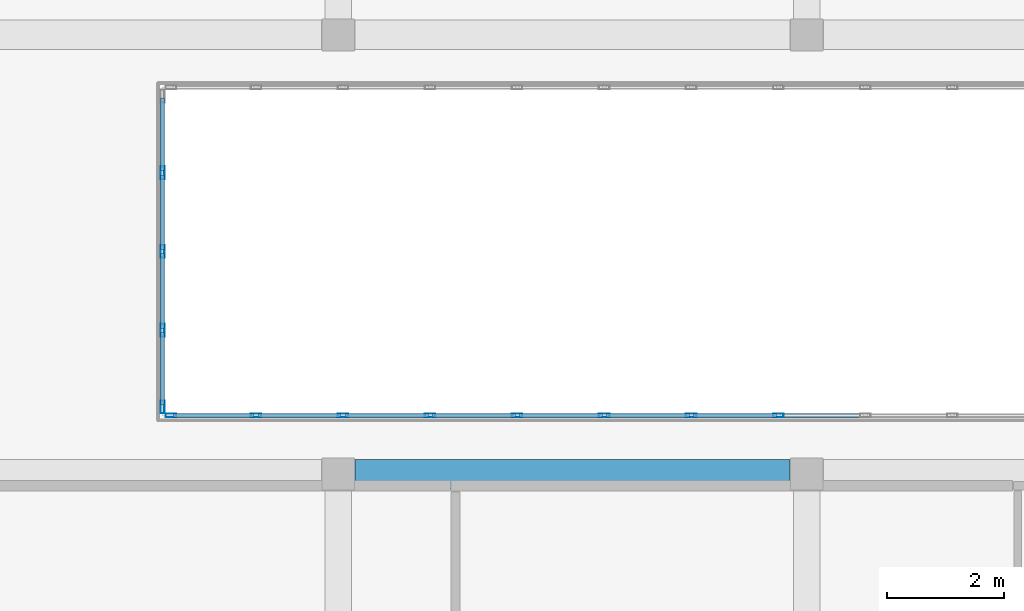
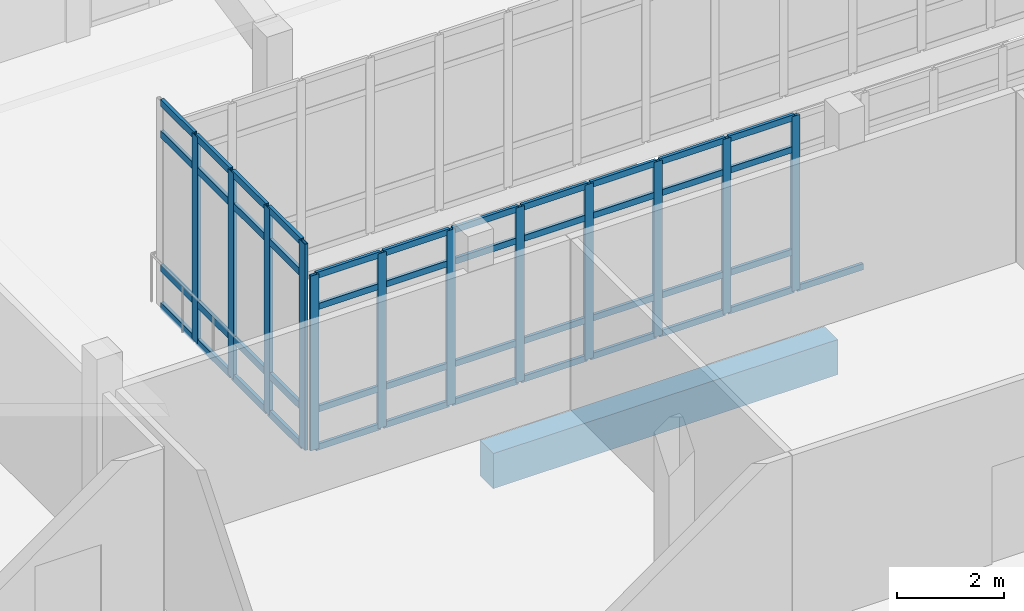
# One storey, part 85 of 173: 57 members, 1 beam, 2 elements without a shape of their own.
"""IFC4 building model written with IfcOpenShell, lengths in metres."""

import ifcopenshell
import ifcopenshell.guid

model = None  # the IFC model being written
_history = None  # IfcOwnerHistory: only IFC2X3 demands one
_inside = {}  # id of a spatial element -> (the spatial element, [elements in it])
_under = {}  # id of a project, library or spatial element -> (it, [spatial elements below it])
_declared = {}  # id of a project -> (the project, [libraries it declares])
_typed = {}  # id of a type object -> (the type object, [elements of that type])
_made_of = {}  # id of a material, layer set ... -> (it, [elements and type objects made of it])


def new_model(schema):
    """Start an empty IFC model of exactly this schema.

    Asked for "IFC4X3", IfcOpenShell would pick the latest addendum, in which some entities
    have other attributes; the version numbers below select the first issue.
    IFC2X3 requires an IfcOwnerHistory on every rooted entity: one is made here for all.
    """
    global model, _history
    if schema == "IFC4X3":
        model = ifcopenshell.file(schema_version=(4, 3, 0, 0))
    else:
        model = ifcopenshell.file(schema=schema)
    _inside.clear()
    _under.clear()
    _declared.clear()
    _typed.clear()
    _made_of.clear()
    _history = None
    if model.schema == "IFC2X3":
        org = make("IfcOrganization", Name="unknown")
        user = make(
            "IfcPersonAndOrganization",
            ThePerson=make("IfcPerson", FamilyName="unknown"),
            TheOrganization=org,
        )
        app = make(
            "IfcApplication",
            ApplicationDeveloper=org,
            Version="unknown",
            ApplicationFullName="unknown",
            ApplicationIdentifier="unknown",
        )
        _history = make(
            "IfcOwnerHistory",
            OwningUser=user,
            OwningApplication=app,
            ChangeAction="ADDED",
            CreationDate=0,
        )
    return model


def make(cls, **values):
    """One entity of the class cls with the attributes given. An attribute that is None is left unset."""
    return model.create_entity(
        cls, **{name: value for name, value in values.items() if value is not None}
    )


def rooted(cls, **values):
    """An entity with a GlobalId (a new one), such as an element, a storey or a relation."""
    return make(cls, GlobalId=ifcopenshell.guid.new(), OwnerHistory=_history, **values)


def si_unit(unit_type, name, prefix=None):
    """IfcSIUnit, for example si_unit("LENGTHUNIT", "METRE", prefix="MILLI")."""
    return make("IfcSIUnit", UnitType=unit_type, Prefix=prefix, Name=name)


def assignment(units):
    """IfcUnitAssignment: the units of a project."""
    return None if units is None else make("IfcUnitAssignment", Units=units)


def point(xyz):
    """IfcCartesianPoint."""
    return None if xyz is None else make("IfcCartesianPoint", Coordinates=xyz)


def direction(xyz):
    """IfcDirection."""
    return None if xyz is None else make("IfcDirection", DirectionRatios=xyz)


def frame(location, z_axis=None, x_axis=None):
    """IfcAxis2Placement3D, a coordinate frame: its origin and axes. An axis left out is left unset."""
    return make(
        "IfcAxis2Placement3D",
        Location=point(location),
        Axis=direction(z_axis),
        RefDirection=direction(x_axis),
    )


def frame_2d(location, x_axis=None):
    """IfcAxis2Placement2D, a coordinate frame in the plane: its origin and x axis."""
    return make(
        "IfcAxis2Placement2D", Location=point(location), RefDirection=direction(x_axis)
    )


def origin():
    """The frame at (0, 0, 0) with its axes left unset."""
    return frame((0.0, 0.0, 0.0))


def origin_2d():
    """The frame at (0, 0) in the plane with its x axis left unset."""
    return frame_2d((0.0, 0.0))


def place(relative_to, where):
    """IfcLocalPlacement: puts the frame where relative to a parent placement (None: the world)."""
    return make(
        "IfcLocalPlacement", PlacementRelTo=relative_to, RelativePlacement=where
    )


def context(
    kind, dimensions, precision=None, world=None, true_north=None, identifier=None
):
    """IfcGeometricRepresentationContext, for example the 3D "Model" context."""
    return make(
        "IfcGeometricRepresentationContext",
        ContextIdentifier=identifier,
        ContextType=kind,
        CoordinateSpaceDimension=dimensions,
        Precision=precision,
        WorldCoordinateSystem=world,
        TrueNorth=true_north,
    )


def subcontext(parent, identifier, kind, view, scale=None):
    """IfcGeometricRepresentationSubContext, for example "Body" below "Model"."""
    return make(
        "IfcGeometricRepresentationSubContext",
        ContextIdentifier=identifier,
        ContextType=kind,
        ParentContext=parent,
        TargetScale=scale,
        TargetView=view,
    )


def project(units=None, contexts=None):
    """IfcProject with its units and contexts."""
    return rooted(
        "IfcProject",
        Name="project",
        RepresentationContexts=contexts,
        UnitsInContext=assignment(units),
    )


def spatial(cls, under=None, at=None, **own):
    """A site, building, storey or space (cls), placed at a placement, below another one or the project."""
    s = rooted(cls, ObjectPlacement=at, **own)
    if under is not None:
        _under.setdefault(under.id(), (under, []))[1].append(s)
    return s


def profile(cls, at=None, kind="AREA", **sizes):
    """A parametric profile (cls). Its sizes go by their IFC names, for example OverallWidth=200.0."""
    return make(cls, ProfileType=kind, Position=at, **sizes)


def rectangle(**sizes):
    """IfcRectangleProfileDef."""
    return profile("IfcRectangleProfileDef", **sizes)


def hollow_rectangle(**sizes):
    """IfcRectangleHollowProfileDef."""
    return profile("IfcRectangleHollowProfileDef", **sizes)


def extrude(swept, where, along, depth):
    """IfcExtrudedAreaSolid: the profile swept, set in the frame where, extruded along a direction by depth."""
    return make(
        "IfcExtrudedAreaSolid",
        SweptArea=swept,
        Position=where,
        ExtrudedDirection=direction(along),
        Depth=depth,
    )


def shape(context_of_items, identifier, shape_type, items):
    """IfcShapeRepresentation: the items that make up one representation, for example the "Body"."""
    return make(
        "IfcShapeRepresentation",
        ContextOfItems=context_of_items,
        RepresentationIdentifier=identifier,
        RepresentationType=shape_type,
        Items=items,
    )


def material(Name=None, Category=None):
    """IfcMaterial."""
    return make("IfcMaterial", Name=Name, Category=Category)


def layer(
    of_material, thickness, ventilated=None, Name=None, Category=None, Priority=None
):
    """IfcMaterialLayer: one layer of a wall or slab, of a material (None: an air gap)."""
    return make(
        "IfcMaterialLayer",
        Material=of_material,
        LayerThickness=thickness,
        IsVentilated=ventilated,
        Name=Name,
        Category=Category,
        Priority=Priority,
    )


def layer_set(layers, Name=None):
    """IfcMaterialLayerSet."""
    return make("IfcMaterialLayerSet", MaterialLayers=layers, LayerSetName=Name)


def material_profile(
    of_material, cross_section, Name=None, Category=None, Priority=None
):
    """IfcMaterialProfile: a cross section and its material."""
    return make(
        "IfcMaterialProfile",
        Name=Name,
        Material=of_material,
        Profile=cross_section,
        Priority=Priority,
        Category=Category,
    )


def profile_set(profiles, Name=None, composite=None):
    """IfcMaterialProfileSet."""
    return make(
        "IfcMaterialProfileSet",
        Name=Name,
        MaterialProfiles=profiles,
        CompositeProfile=composite,
    )


def made_of(thing, what):
    """Note that an element or type object is made of a material, layer set ...; save() writes the relation."""
    if what is not None:
        _made_of.setdefault(what.id(), (what, []))[1].append(thing)
    return thing


def type_object(cls, material=None, **own):
    """A type object (cls), such as IfcWallType, which elements share."""
    return made_of(rooted(cls, **own), material)


def element(
    cls,
    number,
    at=None,
    inside=None,
    cuts=None,
    type_object=None,
    material=None,
    context=None,
    identifier="Body",
    shape_type=None,
    held_by="IfcProductDefinitionShape",
    body=None,
    shapes=None,
    **own,
):
    """One element of the class cls, such as IfcWall. Its Tag is "e" and its number.

    at: its placement. inside: the storey or other place that contains it. cuts: it is an
    opening in that element (IfcRelVoidsElement). A single representation is given by context,
    identifier, shape_type and body (its items); several are given by shapes. held_by: the class
    of the entity that holds the representations. save() writes the other relations.
    """
    e = rooted(cls, Tag="e%d" % number, ObjectPlacement=at, **own)
    if body is not None:
        shapes = [shape(context, identifier, shape_type, body)]
    if shapes is not None:
        e.Representation = make(held_by, Representations=shapes)
    if inside is not None:
        _inside.setdefault(inside.id(), (inside, []))[1].append(e)
    if cuts is not None:
        rooted(
            "IfcRelVoidsElement", RelatingBuildingElement=cuts, RelatedOpeningElement=e
        )
    if type_object is not None:
        _typed.setdefault(type_object.id(), (type_object, []))[1].append(e)
    return made_of(e, material)


def aggregate(whole, parts):
    """IfcRelAggregates: a whole, such as a stair, and the parts it consists of."""
    return rooted("IfcRelAggregates", RelatingObject=whole, RelatedObjects=parts)


def save(model, path):
    """Write the relations noted so far, then the file.

    IfcRelAggregates (storeys below a building ...), IfcRelContainedInSpatialStructure (elements
    in a storey), IfcRelDefinesByType, IfcRelAssociatesMaterial and IfcRelDeclares: one each for
    every whole, place, type object, material and project.
    """
    for whole, parts in _under.values():
        aggregate(whole, parts)
    for where, things in _inside.values():
        rooted(
            "IfcRelContainedInSpatialStructure",
            RelatedElements=things,
            RelatingStructure=where,
        )
    for kind, things in _typed.values():
        rooted("IfcRelDefinesByType", RelatedObjects=things, RelatingType=kind)
    for what, things in _made_of.values():
        rooted("IfcRelAssociatesMaterial", RelatedObjects=things, RelatingMaterial=what)
    for by, libraries in _declared.values():
        rooted("IfcRelDeclares", RelatingContext=by, RelatedDefinitions=libraries)
    model.write(path)


model = new_model("IFC4")

# Units and contexts
model_context = context("Model", 3, precision=1e-05, world=origin(), true_north=direction((0.0, 1.0)))
body_context = subcontext(model_context, "Body", "Model", "MODEL_VIEW")
ifc_project = project(units=[si_unit("LENGTHUNIT", "METRE"), si_unit("AREAUNIT", "SQUARE_METRE"), si_unit("VOLUMEUNIT", "CUBIC_METRE"), si_unit("PLANEANGLEUNIT", "RADIAN"), si_unit("MASSUNIT", "GRAM", prefix="KILO")], contexts=[model_context])

# Site, building, storey
site_placement = place(None, origin())
site = spatial("IfcSite", under=ifc_project, at=site_placement, CompositionType="ELEMENT")
building_placement = place(site_placement, origin())
building = spatial("IfcBuilding", under=site, at=building_placement, Name="Mawjan Specialist Oncology Clinic", CompositionType="ELEMENT")
storey_placement = place(building_placement, origin())
storey = spatial("IfcBuildingStorey", under=building, at=storey_placement, Name="L00", CompositionType="ELEMENT", Elevation=0.0)

# Beam
ifc_material_1 = material(Name="Concrete C45/55", Category="concrete")
ifc_material_profile_1 = material_profile(ifc_material_1, rectangle(XDim=0.5, YDim=0.800048828125, at=origin_2d()), Name="RC BM 500x800", Category="concrete")
ifc_profile_set_1 = profile_set([ifc_material_profile_1], Name="Concrete C45/55")
beam_type = type_object("IfcBeamType", Name="BM-500x800", PredefinedType="BEAM", material=ifc_profile_set_1)
beam_placement = place(storey_placement, frame((116.284912109375, 98.300048828125, -0.85009765625), z_axis=(1.0, 0.0, 0.0), x_axis=(0.0, 1.0, 0.0)))
element("IfcBeam", 1, at=beam_placement, inside=storey, type_object=beam_type, Name="L00 Collector Beam BM-L00-0077", PredefinedType="BEAM", context=body_context, shape_type="SweptSolid", body=[
    extrude(rectangle(XDim=0.5, YDim=0.800048828125, at=origin_2d()), origin(), (0.0, 0.0, 1.0), 7.43017578125),
])

# Curtain wall, members
ifc_material_2 = material(Name="Unitised spectrally selective aluminium curtain wall", Category="aluminium")
ifc_layer_1 = layer(ifc_material_2, 0.179931640625, Name="Unitised spectrally selective aluminium curtain wall", Category="aluminium")
ifc_layer_set_1 = layer_set([ifc_layer_1], Name="Unitised spectrally selective aluminium curtain wall")
curtain_wall_type_1 = type_object("IfcCurtainWallType", Name="CW-33", PredefinedType="NOTDEFINED", material=ifc_layer_set_1)
curtain_wall_1_placement = place(storey_placement, origin())
curtain_wall_1 = element("IfcCurtainWall", 2, at=curtain_wall_1_placement, inside=storey, type_object=curtain_wall_type_1, Name="L00 Unitised Curtain Wall CW-L00-074", PredefinedType="NOTDEFINED")
ifc_material_3 = material(Name="Thermally broken aluminium 6063-T6", Category="aluminium")
ifc_material_profile_2 = material_profile(ifc_material_3, hollow_rectangle(XDim=0.06494140625, YDim=0.179931640625, WallThickness=0.00390625, at=origin_2d()), Name="ALU MULLION 180x65x4", Category="aluminium")
ifc_profile_set_2 = profile_set([ifc_material_profile_2], Name="Thermally broken aluminium 6063-T6")
member_type_1 = type_object("IfcMemberType", Name="CW-M180", PredefinedType="MULLION", material=ifc_profile_set_2)
member_1_placement = place(storey_placement, frame((113.142578125, 99.300048828125, 0.0), z_axis=(0.0, 0.0, 1.0), x_axis=(0.0, 1.0, 0.0)))
member_1 = element("IfcMember", 3, at=member_1_placement, type_object=member_type_1, Name="CW-33 mullion 1", PredefinedType="MULLION", context=body_context, shape_type="SweptSolid", body=[
    extrude(hollow_rectangle(XDim=0.06494140625, YDim=0.179931640625, WallThickness=0.00390625, at=origin_2d()), origin(), (0.0, 0.0, 1.0), 3.985107421875),
])
member_2_placement = place(storey_placement, frame((114.59619140625, 99.300048828125, 0.0), z_axis=(0.0, 0.0, 1.0), x_axis=(0.0, 1.0, 0.0)))
member_2 = element("IfcMember", 4, at=member_2_placement, type_object=member_type_1, Name="CW-33 mullion 2", PredefinedType="MULLION", context=body_context, shape_type="SweptSolid", body=[
    extrude(hollow_rectangle(XDim=0.06494140625, YDim=0.179931640625, WallThickness=0.00390625, at=origin_2d()), origin(), (0.0, 0.0, 1.0), 3.985107421875),
])
member_3_placement = place(storey_placement, frame((116.082275390625, 99.300048828125, 0.0), z_axis=(0.0, 0.0, 1.0), x_axis=(0.0, 1.0, 0.0)))
member_3 = element("IfcMember", 5, at=member_3_placement, type_object=member_type_1, Name="CW-33 mullion 3", PredefinedType="MULLION", context=body_context, shape_type="SweptSolid", body=[
    extrude(hollow_rectangle(XDim=0.06494140625, YDim=0.179931640625, WallThickness=0.00390625, at=origin_2d()), origin(), (0.0, 0.0, 1.0), 3.985107421875),
])
member_4_placement = place(storey_placement, frame((117.568359375, 99.300048828125, 0.0), z_axis=(0.0, 0.0, 1.0), x_axis=(0.0, 1.0, 0.0)))
member_4 = element("IfcMember", 6, at=member_4_placement, type_object=member_type_1, Name="CW-33 mullion 4", PredefinedType="MULLION", context=body_context, shape_type="SweptSolid", body=[
    extrude(hollow_rectangle(XDim=0.06494140625, YDim=0.179931640625, WallThickness=0.00390625, at=origin_2d()), origin(), (0.0, 0.0, 1.0), 3.985107421875),
])
member_5_placement = place(storey_placement, frame((119.054443359375, 99.300048828125, 0.0), z_axis=(0.0, 0.0, 1.0), x_axis=(0.0, 1.0, 0.0)))
member_5 = element("IfcMember", 7, at=member_5_placement, type_object=member_type_1, Name="CW-33 mullion 5", PredefinedType="MULLION", context=body_context, shape_type="SweptSolid", body=[
    extrude(hollow_rectangle(XDim=0.06494140625, YDim=0.179931640625, WallThickness=0.00390625, at=origin_2d()), origin(), (0.0, 0.0, 1.0), 3.985107421875),
])
member_6_placement = place(storey_placement, frame((120.54052734375, 99.300048828125, 0.0), z_axis=(0.0, 0.0, 1.0), x_axis=(0.0, 1.0, 0.0)))
member_6 = element("IfcMember", 8, at=member_6_placement, type_object=member_type_1, Name="CW-33 mullion 6", PredefinedType="MULLION", context=body_context, shape_type="SweptSolid", body=[
    extrude(hollow_rectangle(XDim=0.06494140625, YDim=0.179931640625, WallThickness=0.00390625, at=origin_2d()), origin(), (0.0, 0.0, 1.0), 3.985107421875),
])
member_7_placement = place(storey_placement, frame((122.026611328125, 99.300048828125, 0.0), z_axis=(0.0, 0.0, 1.0), x_axis=(0.0, 1.0, 0.0)))
member_7 = element("IfcMember", 9, at=member_7_placement, type_object=member_type_1, Name="CW-33 mullion 7", PredefinedType="MULLION", context=body_context, shape_type="SweptSolid", body=[
    extrude(hollow_rectangle(XDim=0.06494140625, YDim=0.179931640625, WallThickness=0.00390625, at=origin_2d()), origin(), (0.0, 0.0, 1.0), 3.985107421875),
])
member_8_placement = place(storey_placement, frame((123.5126953125, 99.300048828125, 0.0), z_axis=(0.0, 0.0, 1.0), x_axis=(0.0, 1.0, 0.0)))
member_8 = element("IfcMember", 10, at=member_8_placement, type_object=member_type_1, Name="CW-33 mullion 8", PredefinedType="MULLION", context=body_context, shape_type="SweptSolid", body=[
    extrude(hollow_rectangle(XDim=0.06494140625, YDim=0.179931640625, WallThickness=0.00390625, at=origin_2d()), origin(), (0.0, 0.0, 1.0), 3.985107421875),
])

ifc_material_4 = material(Name="Unitised spectrally selective aluminium curtain wall", Category="aluminium")
ifc_layer_2 = layer(ifc_material_4, 0.179931640625, Name="Unitised spectrally selective aluminium curtain wall", Category="aluminium")
ifc_layer_set_2 = layer_set([ifc_layer_2], Name="Unitised spectrally selective aluminium curtain wall")
curtain_wall_type_2 = type_object("IfcCurtainWallType", Name="CW-32", PredefinedType="NOTDEFINED", material=ifc_layer_set_2)
curtain_wall_2_placement = place(storey_placement, origin())
curtain_wall_2 = element("IfcCurtainWall", 11, at=curtain_wall_2_placement, inside=storey, type_object=curtain_wall_type_2, Name="L00 Unitised Curtain Wall CW-L00-073", PredefinedType="NOTDEFINED")
ifc_material_5 = material(Name="Thermally broken aluminium 6063-T6", Category="aluminium")
ifc_material_profile_3 = material_profile(ifc_material_5, hollow_rectangle(XDim=0.070068359375, YDim=0.219970703125, WallThickness=0.00390625, at=origin_2d()), Name="ALU MULLION 220x70x4", Category="aluminium")
ifc_profile_set_3 = profile_set([ifc_material_profile_3], Name="Thermally broken aluminium 6063-T6")
member_type_2 = type_object("IfcMemberType", Name="CW-M220", PredefinedType="MULLION", material=ifc_profile_set_3)
member_9_placement = place(storey_placement, frame((113.0, 103.445068359375, 0.0), z_axis=(0.0, 0.0, 1.0), x_axis=(1.0, 0.0, 0.0)))
member_9 = element("IfcMember", 12, at=member_9_placement, type_object=member_type_2, Name="CW-32 mullion 2", PredefinedType="MULLION", context=body_context, shape_type="SweptSolid", body=[
    extrude(hollow_rectangle(XDim=0.070068359375, YDim=0.219970703125, WallThickness=0.00390625, at=origin_2d()), origin(), (0.0, 0.0, 1.0), 4.699951171875),
])
member_10_placement = place(storey_placement, frame((113.0, 102.10009765625, 0.0), z_axis=(0.0, 0.0, 1.0), x_axis=(1.0, 0.0, 0.0)))
member_10 = element("IfcMember", 13, at=member_10_placement, type_object=member_type_2, Name="CW-32 mullion 3", PredefinedType="MULLION", context=body_context, shape_type="SweptSolid", body=[
    extrude(hollow_rectangle(XDim=0.070068359375, YDim=0.219970703125, WallThickness=0.00390625, at=origin_2d()), origin(), (0.0, 0.0, 1.0), 4.699951171875),
])
member_11_placement = place(storey_placement, frame((113.0, 100.7548828125, 0.0), z_axis=(0.0, 0.0, 1.0), x_axis=(1.0, 0.0, 0.0)))
member_11 = element("IfcMember", 14, at=member_11_placement, type_object=member_type_2, Name="CW-32 mullion 4", PredefinedType="MULLION", context=body_context, shape_type="SweptSolid", body=[
    extrude(hollow_rectangle(XDim=0.070068359375, YDim=0.219970703125, WallThickness=0.00390625, at=origin_2d()), origin(), (0.0, 0.0, 1.0), 4.699951171875),
])
member_12_placement = place(storey_placement, frame((113.0, 99.445068359375, 0.0), z_axis=(0.0, 0.0, 1.0), x_axis=(1.0, 0.0, 0.0)))
member_12 = element("IfcMember", 15, at=member_12_placement, type_object=member_type_2, Name="CW-32 mullion 5", PredefinedType="MULLION", context=body_context, shape_type="SweptSolid", body=[
    extrude(hollow_rectangle(XDim=0.070068359375, YDim=0.219970703125, WallThickness=0.00390625, at=origin_2d()), origin(), (0.0, 0.0, 1.0), 4.699951171875),
])

# Member
ifc_material_6 = material(Name="Thermally broken aluminium 6063-T6", Category="aluminium")
ifc_material_profile_4 = material_profile(ifc_material_6, hollow_rectangle(XDim=0.06494140625, YDim=0.139892578125, WallThickness=0.00390625, at=origin_2d()), Name="ALU TRANSOM 140x65x4", Category="aluminium")
ifc_profile_set_4 = profile_set([ifc_material_profile_4], Name="Thermally broken aluminium 6063-T6")
member_type_3 = type_object("IfcMemberType", Name="CW-T140", PredefinedType="USERDEFINED", material=ifc_profile_set_4)
member_13_placement = place(storey_placement, frame((113.175048828125, 99.300048828125, 0.032470703125), z_axis=(1.0, 0.0, 0.0), x_axis=(0.0, 1.0, 0.0)))
member_13 = element("IfcMember", 16, at=member_13_placement, type_object=member_type_3, Name="CW-33 transom 1.1", ObjectType="TRANSOM", PredefinedType="USERDEFINED", context=body_context, shape_type="SweptSolid", body=[
    extrude(hollow_rectangle(XDim=0.06494140625, YDim=0.139892578125, WallThickness=0.00390625, at=origin_2d()), origin(), (0.0, 0.0, 1.0), 1.388427734375),
])

member_14_placement = place(storey_placement, frame((113.175048828125, 99.300048828125, 0.89990234375), z_axis=(1.0, 0.0, 0.0), x_axis=(0.0, 1.0, 0.0)))
member_14 = element("IfcMember", 17, at=member_14_placement, type_object=member_type_3, Name="CW-33 transom 1.2", ObjectType="TRANSOM", PredefinedType="USERDEFINED", context=body_context, shape_type="SweptSolid", body=[
    extrude(hollow_rectangle(XDim=0.06494140625, YDim=0.139892578125, WallThickness=0.00390625, at=origin_2d()), origin(), (0.0, 0.0, 1.0), 1.388427734375),
])

member_15_placement = place(storey_placement, frame((113.175048828125, 99.300048828125, 3.235107421875), z_axis=(1.0, 0.0, 0.0), x_axis=(0.0, 1.0, 0.0)))
member_15 = element("IfcMember", 18, at=member_15_placement, type_object=member_type_3, Name="CW-33 transom 1.3", ObjectType="TRANSOM", PredefinedType="USERDEFINED", context=body_context, shape_type="SweptSolid", body=[
    extrude(hollow_rectangle(XDim=0.06494140625, YDim=0.139892578125, WallThickness=0.00390625, at=origin_2d()), origin(), (0.0, 0.0, 1.0), 1.388427734375),
])

member_16_placement = place(storey_placement, frame((113.175048828125, 99.300048828125, 3.952392578125), z_axis=(1.0, 0.0, 0.0), x_axis=(0.0, 1.0, 0.0)))
member_16 = element("IfcMember", 19, at=member_16_placement, type_object=member_type_3, Name="CW-33 transom 1.4", ObjectType="TRANSOM", PredefinedType="USERDEFINED", context=body_context, shape_type="SweptSolid", body=[
    extrude(hollow_rectangle(XDim=0.06494140625, YDim=0.139892578125, WallThickness=0.00390625, at=origin_2d()), origin(), (0.0, 0.0, 1.0), 1.388427734375),
])

member_17_placement = place(storey_placement, frame((114.628662109375, 99.300048828125, 0.032470703125), z_axis=(1.0, 0.0, 0.0), x_axis=(0.0, 1.0, 0.0)))
member_17 = element("IfcMember", 20, at=member_17_placement, type_object=member_type_3, Name="CW-33 transom 2.1", ObjectType="TRANSOM", PredefinedType="USERDEFINED", context=body_context, shape_type="SweptSolid", body=[
    extrude(hollow_rectangle(XDim=0.06494140625, YDim=0.139892578125, WallThickness=0.00390625, at=origin_2d()), origin(), (0.0, 0.0, 1.0), 1.4208984375),
])

member_18_placement = place(storey_placement, frame((114.628662109375, 99.300048828125, 0.89990234375), z_axis=(1.0, 0.0, 0.0), x_axis=(0.0, 1.0, 0.0)))
member_18 = element("IfcMember", 21, at=member_18_placement, type_object=member_type_3, Name="CW-33 transom 2.2", ObjectType="TRANSOM", PredefinedType="USERDEFINED", context=body_context, shape_type="SweptSolid", body=[
    extrude(hollow_rectangle(XDim=0.06494140625, YDim=0.139892578125, WallThickness=0.00390625, at=origin_2d()), origin(), (0.0, 0.0, 1.0), 1.4208984375),
])

member_19_placement = place(storey_placement, frame((114.628662109375, 99.300048828125, 3.235107421875), z_axis=(1.0, 0.0, 0.0), x_axis=(0.0, 1.0, 0.0)))
member_19 = element("IfcMember", 22, at=member_19_placement, type_object=member_type_3, Name="CW-33 transom 2.3", ObjectType="TRANSOM", PredefinedType="USERDEFINED", context=body_context, shape_type="SweptSolid", body=[
    extrude(hollow_rectangle(XDim=0.06494140625, YDim=0.139892578125, WallThickness=0.00390625, at=origin_2d()), origin(), (0.0, 0.0, 1.0), 1.4208984375),
])

member_20_placement = place(storey_placement, frame((114.628662109375, 99.300048828125, 3.952392578125), z_axis=(1.0, 0.0, 0.0), x_axis=(0.0, 1.0, 0.0)))
member_20 = element("IfcMember", 23, at=member_20_placement, type_object=member_type_3, Name="CW-33 transom 2.4", ObjectType="TRANSOM", PredefinedType="USERDEFINED", context=body_context, shape_type="SweptSolid", body=[
    extrude(hollow_rectangle(XDim=0.06494140625, YDim=0.139892578125, WallThickness=0.00390625, at=origin_2d()), origin(), (0.0, 0.0, 1.0), 1.4208984375),
])

member_21_placement = place(storey_placement, frame((116.11474609375, 99.300048828125, 0.032470703125), z_axis=(1.0, 0.0, 0.0), x_axis=(0.0, 1.0, 0.0)))
member_21 = element("IfcMember", 24, at=member_21_placement, type_object=member_type_3, Name="CW-33 transom 3.1", ObjectType="TRANSOM", PredefinedType="USERDEFINED", context=body_context, shape_type="SweptSolid", body=[
    extrude(hollow_rectangle(XDim=0.06494140625, YDim=0.139892578125, WallThickness=0.00390625, at=origin_2d()), origin(), (0.0, 0.0, 1.0), 1.4208984375),
])

member_22_placement = place(storey_placement, frame((116.11474609375, 99.300048828125, 0.89990234375), z_axis=(1.0, 0.0, 0.0), x_axis=(0.0, 1.0, 0.0)))
member_22 = element("IfcMember", 25, at=member_22_placement, type_object=member_type_3, Name="CW-33 transom 3.2", ObjectType="TRANSOM", PredefinedType="USERDEFINED", context=body_context, shape_type="SweptSolid", body=[
    extrude(hollow_rectangle(XDim=0.06494140625, YDim=0.139892578125, WallThickness=0.00390625, at=origin_2d()), origin(), (0.0, 0.0, 1.0), 1.4208984375),
])

member_23_placement = place(storey_placement, frame((116.11474609375, 99.300048828125, 3.235107421875), z_axis=(1.0, 0.0, 0.0), x_axis=(0.0, 1.0, 0.0)))
member_23 = element("IfcMember", 26, at=member_23_placement, type_object=member_type_3, Name="CW-33 transom 3.3", ObjectType="TRANSOM", PredefinedType="USERDEFINED", context=body_context, shape_type="SweptSolid", body=[
    extrude(hollow_rectangle(XDim=0.06494140625, YDim=0.139892578125, WallThickness=0.00390625, at=origin_2d()), origin(), (0.0, 0.0, 1.0), 1.4208984375),
])

member_24_placement = place(storey_placement, frame((116.11474609375, 99.300048828125, 3.952392578125), z_axis=(1.0, 0.0, 0.0), x_axis=(0.0, 1.0, 0.0)))
member_24 = element("IfcMember", 27, at=member_24_placement, type_object=member_type_3, Name="CW-33 transom 3.4", ObjectType="TRANSOM", PredefinedType="USERDEFINED", context=body_context, shape_type="SweptSolid", body=[
    extrude(hollow_rectangle(XDim=0.06494140625, YDim=0.139892578125, WallThickness=0.00390625, at=origin_2d()), origin(), (0.0, 0.0, 1.0), 1.4208984375),
])

member_25_placement = place(storey_placement, frame((117.600830078125, 99.300048828125, 0.032470703125), z_axis=(1.0, 0.0, 0.0), x_axis=(0.0, 1.0, 0.0)))
member_25 = element("IfcMember", 28, at=member_25_placement, type_object=member_type_3, Name="CW-33 transom 4.1", ObjectType="TRANSOM", PredefinedType="USERDEFINED", context=body_context, shape_type="SweptSolid", body=[
    extrude(hollow_rectangle(XDim=0.06494140625, YDim=0.139892578125, WallThickness=0.00390625, at=origin_2d()), origin(), (0.0, 0.0, 1.0), 1.4208984375),
])

member_26_placement = place(storey_placement, frame((117.600830078125, 99.300048828125, 0.89990234375), z_axis=(1.0, 0.0, 0.0), x_axis=(0.0, 1.0, 0.0)))
member_26 = element("IfcMember", 29, at=member_26_placement, type_object=member_type_3, Name="CW-33 transom 4.2", ObjectType="TRANSOM", PredefinedType="USERDEFINED", context=body_context, shape_type="SweptSolid", body=[
    extrude(hollow_rectangle(XDim=0.06494140625, YDim=0.139892578125, WallThickness=0.00390625, at=origin_2d()), origin(), (0.0, 0.0, 1.0), 1.4208984375),
])

member_27_placement = place(storey_placement, frame((117.600830078125, 99.300048828125, 3.235107421875), z_axis=(1.0, 0.0, 0.0), x_axis=(0.0, 1.0, 0.0)))
member_27 = element("IfcMember", 30, at=member_27_placement, type_object=member_type_3, Name="CW-33 transom 4.3", ObjectType="TRANSOM", PredefinedType="USERDEFINED", context=body_context, shape_type="SweptSolid", body=[
    extrude(hollow_rectangle(XDim=0.06494140625, YDim=0.139892578125, WallThickness=0.00390625, at=origin_2d()), origin(), (0.0, 0.0, 1.0), 1.4208984375),
])

member_28_placement = place(storey_placement, frame((117.600830078125, 99.300048828125, 3.952392578125), z_axis=(1.0, 0.0, 0.0), x_axis=(0.0, 1.0, 0.0)))
member_28 = element("IfcMember", 31, at=member_28_placement, type_object=member_type_3, Name="CW-33 transom 4.4", ObjectType="TRANSOM", PredefinedType="USERDEFINED", context=body_context, shape_type="SweptSolid", body=[
    extrude(hollow_rectangle(XDim=0.06494140625, YDim=0.139892578125, WallThickness=0.00390625, at=origin_2d()), origin(), (0.0, 0.0, 1.0), 1.4208984375),
])

member_29_placement = place(storey_placement, frame((119.0869140625, 99.300048828125, 0.032470703125), z_axis=(1.0, 0.0, 0.0), x_axis=(0.0, 1.0, 0.0)))
member_29 = element("IfcMember", 32, at=member_29_placement, type_object=member_type_3, Name="CW-33 transom 5.1", ObjectType="TRANSOM", PredefinedType="USERDEFINED", context=body_context, shape_type="SweptSolid", body=[
    extrude(hollow_rectangle(XDim=0.06494140625, YDim=0.139892578125, WallThickness=0.00390625, at=origin_2d()), origin(), (0.0, 0.0, 1.0), 1.421142578125),
])

member_30_placement = place(storey_placement, frame((119.0869140625, 99.300048828125, 0.89990234375), z_axis=(1.0, 0.0, 0.0), x_axis=(0.0, 1.0, 0.0)))
member_30 = element("IfcMember", 33, at=member_30_placement, type_object=member_type_3, Name="CW-33 transom 5.2", ObjectType="TRANSOM", PredefinedType="USERDEFINED", context=body_context, shape_type="SweptSolid", body=[
    extrude(hollow_rectangle(XDim=0.06494140625, YDim=0.139892578125, WallThickness=0.00390625, at=origin_2d()), origin(), (0.0, 0.0, 1.0), 1.421142578125),
])

member_31_placement = place(storey_placement, frame((119.0869140625, 99.300048828125, 3.235107421875), z_axis=(1.0, 0.0, 0.0), x_axis=(0.0, 1.0, 0.0)))
member_31 = element("IfcMember", 34, at=member_31_placement, type_object=member_type_3, Name="CW-33 transom 5.3", ObjectType="TRANSOM", PredefinedType="USERDEFINED", context=body_context, shape_type="SweptSolid", body=[
    extrude(hollow_rectangle(XDim=0.06494140625, YDim=0.139892578125, WallThickness=0.00390625, at=origin_2d()), origin(), (0.0, 0.0, 1.0), 1.421142578125),
])

member_32_placement = place(storey_placement, frame((119.0869140625, 99.300048828125, 3.952392578125), z_axis=(1.0, 0.0, 0.0), x_axis=(0.0, 1.0, 0.0)))
member_32 = element("IfcMember", 35, at=member_32_placement, type_object=member_type_3, Name="CW-33 transom 5.4", ObjectType="TRANSOM", PredefinedType="USERDEFINED", context=body_context, shape_type="SweptSolid", body=[
    extrude(hollow_rectangle(XDim=0.06494140625, YDim=0.139892578125, WallThickness=0.00390625, at=origin_2d()), origin(), (0.0, 0.0, 1.0), 1.421142578125),
])

member_33_placement = place(storey_placement, frame((120.572998046875, 99.300048828125, 0.032470703125), z_axis=(1.0, 0.0, 0.0), x_axis=(0.0, 1.0, 0.0)))
member_33 = element("IfcMember", 36, at=member_33_placement, type_object=member_type_3, Name="CW-33 transom 6.1", ObjectType="TRANSOM", PredefinedType="USERDEFINED", context=body_context, shape_type="SweptSolid", body=[
    extrude(hollow_rectangle(XDim=0.06494140625, YDim=0.139892578125, WallThickness=0.00390625, at=origin_2d()), origin(), (0.0, 0.0, 1.0), 1.421142578125),
])

member_34_placement = place(storey_placement, frame((120.572998046875, 99.300048828125, 0.89990234375), z_axis=(1.0, 0.0, 0.0), x_axis=(0.0, 1.0, 0.0)))
member_34 = element("IfcMember", 37, at=member_34_placement, type_object=member_type_3, Name="CW-33 transom 6.2", ObjectType="TRANSOM", PredefinedType="USERDEFINED", context=body_context, shape_type="SweptSolid", body=[
    extrude(hollow_rectangle(XDim=0.06494140625, YDim=0.139892578125, WallThickness=0.00390625, at=origin_2d()), origin(), (0.0, 0.0, 1.0), 1.421142578125),
])

member_35_placement = place(storey_placement, frame((120.572998046875, 99.300048828125, 3.235107421875), z_axis=(1.0, 0.0, 0.0), x_axis=(0.0, 1.0, 0.0)))
member_35 = element("IfcMember", 38, at=member_35_placement, type_object=member_type_3, Name="CW-33 transom 6.3", ObjectType="TRANSOM", PredefinedType="USERDEFINED", context=body_context, shape_type="SweptSolid", body=[
    extrude(hollow_rectangle(XDim=0.06494140625, YDim=0.139892578125, WallThickness=0.00390625, at=origin_2d()), origin(), (0.0, 0.0, 1.0), 1.421142578125),
])

member_36_placement = place(storey_placement, frame((120.572998046875, 99.300048828125, 3.952392578125), z_axis=(1.0, 0.0, 0.0), x_axis=(0.0, 1.0, 0.0)))
member_36 = element("IfcMember", 39, at=member_36_placement, type_object=member_type_3, Name="CW-33 transom 6.4", ObjectType="TRANSOM", PredefinedType="USERDEFINED", context=body_context, shape_type="SweptSolid", body=[
    extrude(hollow_rectangle(XDim=0.06494140625, YDim=0.139892578125, WallThickness=0.00390625, at=origin_2d()), origin(), (0.0, 0.0, 1.0), 1.421142578125),
])

member_37_placement = place(storey_placement, frame((122.05908203125, 99.300048828125, 0.032470703125), z_axis=(1.0, 0.0, 0.0), x_axis=(0.0, 1.0, 0.0)))
member_37 = element("IfcMember", 40, at=member_37_placement, type_object=member_type_3, Name="CW-33 transom 7.1", ObjectType="TRANSOM", PredefinedType="USERDEFINED", context=body_context, shape_type="SweptSolid", body=[
    extrude(hollow_rectangle(XDim=0.06494140625, YDim=0.139892578125, WallThickness=0.00390625, at=origin_2d()), origin(), (0.0, 0.0, 1.0), 1.421142578125),
])

member_38_placement = place(storey_placement, frame((122.05908203125, 99.300048828125, 0.89990234375), z_axis=(1.0, 0.0, 0.0), x_axis=(0.0, 1.0, 0.0)))
member_38 = element("IfcMember", 41, at=member_38_placement, type_object=member_type_3, Name="CW-33 transom 7.2", ObjectType="TRANSOM", PredefinedType="USERDEFINED", context=body_context, shape_type="SweptSolid", body=[
    extrude(hollow_rectangle(XDim=0.06494140625, YDim=0.139892578125, WallThickness=0.00390625, at=origin_2d()), origin(), (0.0, 0.0, 1.0), 1.421142578125),
])

member_39_placement = place(storey_placement, frame((122.05908203125, 99.300048828125, 3.235107421875), z_axis=(1.0, 0.0, 0.0), x_axis=(0.0, 1.0, 0.0)))
member_39 = element("IfcMember", 42, at=member_39_placement, type_object=member_type_3, Name="CW-33 transom 7.3", ObjectType="TRANSOM", PredefinedType="USERDEFINED", context=body_context, shape_type="SweptSolid", body=[
    extrude(hollow_rectangle(XDim=0.06494140625, YDim=0.139892578125, WallThickness=0.00390625, at=origin_2d()), origin(), (0.0, 0.0, 1.0), 1.421142578125),
])

member_40_placement = place(storey_placement, frame((122.05908203125, 99.300048828125, 3.952392578125), z_axis=(1.0, 0.0, 0.0), x_axis=(0.0, 1.0, 0.0)))
member_40 = element("IfcMember", 43, at=member_40_placement, type_object=member_type_3, Name="CW-33 transom 7.4", ObjectType="TRANSOM", PredefinedType="USERDEFINED", context=body_context, shape_type="SweptSolid", body=[
    extrude(hollow_rectangle(XDim=0.06494140625, YDim=0.139892578125, WallThickness=0.00390625, at=origin_2d()), origin(), (0.0, 0.0, 1.0), 1.421142578125),
])

member_41_placement = place(storey_placement, frame((123.545166015625, 99.300048828125, 0.032470703125), z_axis=(1.0, 0.0, 0.0), x_axis=(0.0, 1.0, 0.0)))
member_41 = element("IfcMember", 44, at=member_41_placement, type_object=member_type_3, Name="CW-33 transom 8.1", ObjectType="TRANSOM", PredefinedType="USERDEFINED", context=body_context, shape_type="SweptSolid", body=[
    extrude(hollow_rectangle(XDim=0.06494140625, YDim=0.139892578125, WallThickness=0.00390625, at=origin_2d()), origin(), (0.0, 0.0, 1.0), 1.421142578125),
])

aggregate(curtain_wall_1, [member_1, member_2, member_3, member_4, member_5, member_6, member_7, member_8, member_13, member_14, member_15, member_16, member_17, member_18, member_19, member_20, member_21, member_22, member_23, member_24, member_25, member_26, member_27, member_28, member_29, member_30, member_31, member_32, member_33, member_34, member_35, member_36, member_37, member_38, member_39, member_40, member_41])

ifc_material_7 = material(Name="Thermally broken aluminium 6063-T6", Category="aluminium")
ifc_material_profile_5 = material_profile(ifc_material_7, hollow_rectangle(XDim=0.070068359375, YDim=0.159912109375, WallThickness=0.00390625, at=origin_2d()), Name="ALU TRANSOM 160x70x4", Category="aluminium")
ifc_profile_set_5 = profile_set([ifc_material_profile_5], Name="Thermally broken aluminium 6063-T6")
member_type_4 = type_object("IfcMemberType", Name="CW-T160", PredefinedType="USERDEFINED", material=ifc_profile_set_5)
member_42_placement = place(storey_placement, frame((113.0, 104.719970703125, 0.034912109375), z_axis=(0.0, -1.0, 0.0), x_axis=(1.0, 0.0, 0.0)))
member_42 = element("IfcMember", 45, at=member_42_placement, type_object=member_type_4, Name="CW-32 transom 1.1", ObjectType="TRANSOM", PredefinedType="USERDEFINED", context=body_context, shape_type="SweptSolid", body=[
    extrude(hollow_rectangle(XDim=0.070068359375, YDim=0.159912109375, WallThickness=0.00390625, at=origin_2d()), origin(), (0.0, 0.0, 1.0), 1.239990234375),
])

member_43_placement = place(storey_placement, frame((113.0, 104.719970703125, 0.89990234375), z_axis=(0.0, -1.0, 0.0), x_axis=(1.0, 0.0, 0.0)))
member_43 = element("IfcMember", 46, at=member_43_placement, type_object=member_type_4, Name="CW-32 transom 1.2", ObjectType="TRANSOM", PredefinedType="USERDEFINED", context=body_context, shape_type="SweptSolid", body=[
    extrude(hollow_rectangle(XDim=0.070068359375, YDim=0.159912109375, WallThickness=0.00390625, at=origin_2d()), origin(), (0.0, 0.0, 1.0), 1.239990234375),
])

member_44_placement = place(storey_placement, frame((113.0, 104.719970703125, 3.949951171875), z_axis=(0.0, -1.0, 0.0), x_axis=(1.0, 0.0, 0.0)))
member_44 = element("IfcMember", 47, at=member_44_placement, type_object=member_type_4, Name="CW-32 transom 1.3", ObjectType="TRANSOM", PredefinedType="USERDEFINED", context=body_context, shape_type="SweptSolid", body=[
    extrude(hollow_rectangle(XDim=0.070068359375, YDim=0.159912109375, WallThickness=0.00390625, at=origin_2d()), origin(), (0.0, 0.0, 1.0), 1.239990234375),
])

member_45_placement = place(storey_placement, frame((113.0, 104.719970703125, 4.6650390625), z_axis=(0.0, -1.0, 0.0), x_axis=(1.0, 0.0, 0.0)))
member_45 = element("IfcMember", 48, at=member_45_placement, type_object=member_type_4, Name="CW-32 transom 1.4", ObjectType="TRANSOM", PredefinedType="USERDEFINED", context=body_context, shape_type="SweptSolid", body=[
    extrude(hollow_rectangle(XDim=0.070068359375, YDim=0.159912109375, WallThickness=0.00390625, at=origin_2d()), origin(), (0.0, 0.0, 1.0), 1.239990234375),
])

member_46_placement = place(storey_placement, frame((113.0, 103.409912109375, 0.034912109375), z_axis=(0.0, -1.0, 0.0), x_axis=(1.0, 0.0, 0.0)))
member_46 = element("IfcMember", 49, at=member_46_placement, type_object=member_type_4, Name="CW-32 transom 2.1", ObjectType="TRANSOM", PredefinedType="USERDEFINED", context=body_context, shape_type="SweptSolid", body=[
    extrude(hollow_rectangle(XDim=0.070068359375, YDim=0.159912109375, WallThickness=0.00390625, at=origin_2d()), origin(), (0.0, 0.0, 1.0), 1.27490234375),
])

member_47_placement = place(storey_placement, frame((113.0, 103.409912109375, 0.89990234375), z_axis=(0.0, -1.0, 0.0), x_axis=(1.0, 0.0, 0.0)))
member_47 = element("IfcMember", 50, at=member_47_placement, type_object=member_type_4, Name="CW-32 transom 2.2", ObjectType="TRANSOM", PredefinedType="USERDEFINED", context=body_context, shape_type="SweptSolid", body=[
    extrude(hollow_rectangle(XDim=0.070068359375, YDim=0.159912109375, WallThickness=0.00390625, at=origin_2d()), origin(), (0.0, 0.0, 1.0), 1.27490234375),
])

member_48_placement = place(storey_placement, frame((113.0, 103.409912109375, 3.949951171875), z_axis=(0.0, -1.0, 0.0), x_axis=(1.0, 0.0, 0.0)))
member_48 = element("IfcMember", 51, at=member_48_placement, type_object=member_type_4, Name="CW-32 transom 2.3", ObjectType="TRANSOM", PredefinedType="USERDEFINED", context=body_context, shape_type="SweptSolid", body=[
    extrude(hollow_rectangle(XDim=0.070068359375, YDim=0.159912109375, WallThickness=0.00390625, at=origin_2d()), origin(), (0.0, 0.0, 1.0), 1.27490234375),
])

member_49_placement = place(storey_placement, frame((113.0, 103.409912109375, 4.6650390625), z_axis=(0.0, -1.0, 0.0), x_axis=(1.0, 0.0, 0.0)))
member_49 = element("IfcMember", 52, at=member_49_placement, type_object=member_type_4, Name="CW-32 transom 2.4", ObjectType="TRANSOM", PredefinedType="USERDEFINED", context=body_context, shape_type="SweptSolid", body=[
    extrude(hollow_rectangle(XDim=0.070068359375, YDim=0.159912109375, WallThickness=0.00390625, at=origin_2d()), origin(), (0.0, 0.0, 1.0), 1.27490234375),
])

member_50_placement = place(storey_placement, frame((113.0, 102.06494140625, 0.034912109375), z_axis=(0.0, -1.0, 0.0), x_axis=(1.0, 0.0, 0.0)))
member_50 = element("IfcMember", 53, at=member_50_placement, type_object=member_type_4, Name="CW-32 transom 3.1", ObjectType="TRANSOM", PredefinedType="USERDEFINED", context=body_context, shape_type="SweptSolid", body=[
    extrude(hollow_rectangle(XDim=0.070068359375, YDim=0.159912109375, WallThickness=0.00390625, at=origin_2d()), origin(), (0.0, 0.0, 1.0), 1.27490234375),
])

member_51_placement = place(storey_placement, frame((113.0, 102.06494140625, 0.89990234375), z_axis=(0.0, -1.0, 0.0), x_axis=(1.0, 0.0, 0.0)))
member_51 = element("IfcMember", 54, at=member_51_placement, type_object=member_type_4, Name="CW-32 transom 3.2", ObjectType="TRANSOM", PredefinedType="USERDEFINED", context=body_context, shape_type="SweptSolid", body=[
    extrude(hollow_rectangle(XDim=0.070068359375, YDim=0.159912109375, WallThickness=0.00390625, at=origin_2d()), origin(), (0.0, 0.0, 1.0), 1.27490234375),
])

member_52_placement = place(storey_placement, frame((113.0, 102.06494140625, 3.949951171875), z_axis=(0.0, -1.0, 0.0), x_axis=(1.0, 0.0, 0.0)))
member_52 = element("IfcMember", 55, at=member_52_placement, type_object=member_type_4, Name="CW-32 transom 3.3", ObjectType="TRANSOM", PredefinedType="USERDEFINED", context=body_context, shape_type="SweptSolid", body=[
    extrude(hollow_rectangle(XDim=0.070068359375, YDim=0.159912109375, WallThickness=0.00390625, at=origin_2d()), origin(), (0.0, 0.0, 1.0), 1.27490234375),
])

member_53_placement = place(storey_placement, frame((113.0, 102.06494140625, 4.6650390625), z_axis=(0.0, -1.0, 0.0), x_axis=(1.0, 0.0, 0.0)))
member_53 = element("IfcMember", 56, at=member_53_placement, type_object=member_type_4, Name="CW-32 transom 3.4", ObjectType="TRANSOM", PredefinedType="USERDEFINED", context=body_context, shape_type="SweptSolid", body=[
    extrude(hollow_rectangle(XDim=0.070068359375, YDim=0.159912109375, WallThickness=0.00390625, at=origin_2d()), origin(), (0.0, 0.0, 1.0), 1.27490234375),
])

member_54_placement = place(storey_placement, frame((113.0, 100.719970703125, 0.034912109375), z_axis=(0.0, -1.0, 0.0), x_axis=(1.0, 0.0, 0.0)))
member_54 = element("IfcMember", 57, at=member_54_placement, type_object=member_type_4, Name="CW-32 transom 4.1", ObjectType="TRANSOM", PredefinedType="USERDEFINED", context=body_context, shape_type="SweptSolid", body=[
    extrude(hollow_rectangle(XDim=0.070068359375, YDim=0.159912109375, WallThickness=0.00390625, at=origin_2d()), origin(), (0.0, 0.0, 1.0), 1.239990234375),
])

member_55_placement = place(storey_placement, frame((113.0, 100.719970703125, 0.89990234375), z_axis=(0.0, -1.0, 0.0), x_axis=(1.0, 0.0, 0.0)))
member_55 = element("IfcMember", 58, at=member_55_placement, type_object=member_type_4, Name="CW-32 transom 4.2", ObjectType="TRANSOM", PredefinedType="USERDEFINED", context=body_context, shape_type="SweptSolid", body=[
    extrude(hollow_rectangle(XDim=0.070068359375, YDim=0.159912109375, WallThickness=0.00390625, at=origin_2d()), origin(), (0.0, 0.0, 1.0), 1.239990234375),
])

member_56_placement = place(storey_placement, frame((113.0, 100.719970703125, 3.949951171875), z_axis=(0.0, -1.0, 0.0), x_axis=(1.0, 0.0, 0.0)))
member_56 = element("IfcMember", 59, at=member_56_placement, type_object=member_type_4, Name="CW-32 transom 4.3", ObjectType="TRANSOM", PredefinedType="USERDEFINED", context=body_context, shape_type="SweptSolid", body=[
    extrude(hollow_rectangle(XDim=0.070068359375, YDim=0.159912109375, WallThickness=0.00390625, at=origin_2d()), origin(), (0.0, 0.0, 1.0), 1.239990234375),
])

member_57_placement = place(storey_placement, frame((113.0, 100.719970703125, 4.6650390625), z_axis=(0.0, -1.0, 0.0), x_axis=(1.0, 0.0, 0.0)))
member_57 = element("IfcMember", 60, at=member_57_placement, type_object=member_type_4, Name="CW-32 transom 4.4", ObjectType="TRANSOM", PredefinedType="USERDEFINED", context=body_context, shape_type="SweptSolid", body=[
    extrude(hollow_rectangle(XDim=0.070068359375, YDim=0.159912109375, WallThickness=0.00390625, at=origin_2d()), origin(), (0.0, 0.0, 1.0), 1.239990234375),
])

aggregate(curtain_wall_2, [member_9, member_10, member_11, member_12, member_42, member_43, member_44, member_45, member_46, member_47, member_48, member_49, member_50, member_51, member_52, member_53, member_54, member_55, member_56, member_57])

save(model, "model.ifc")
